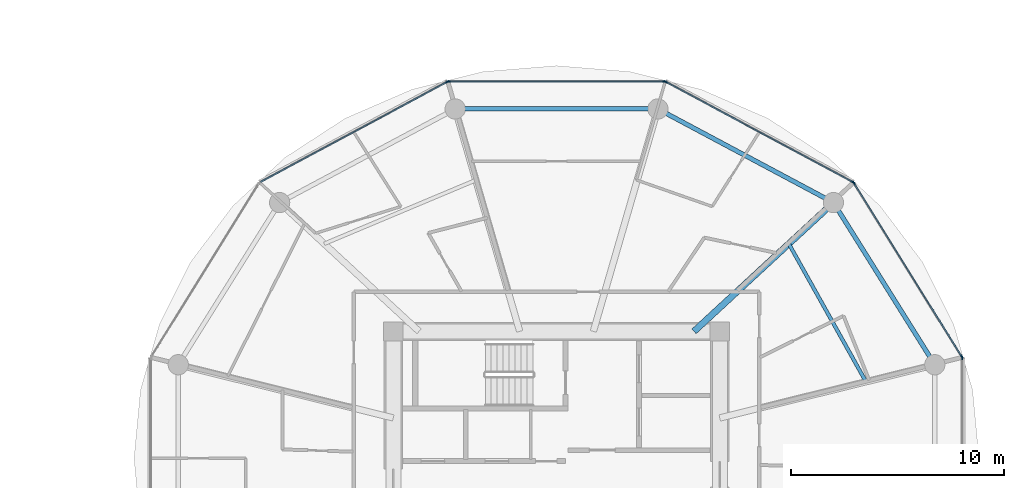
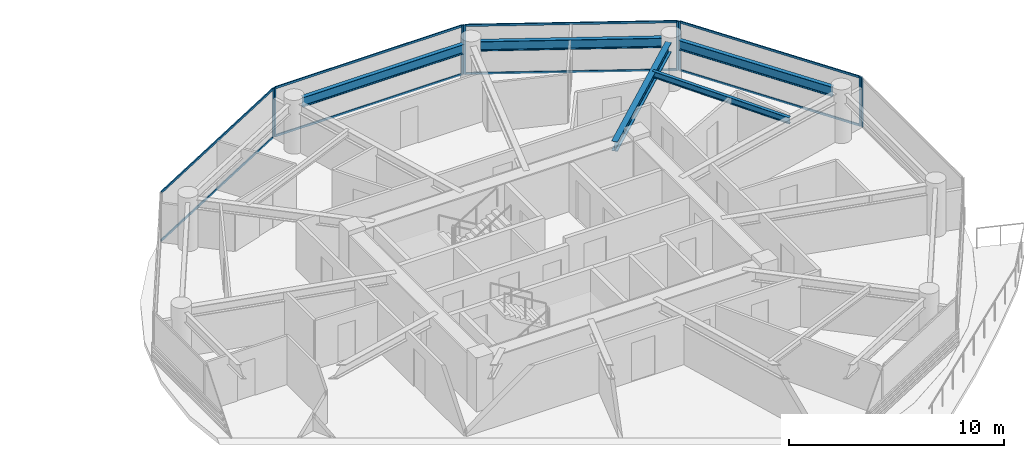
# One storey, part 13 of 25: 16 members, 5 beams, 5 elements without a shape of their own.
"""IFC4 building model written with IfcOpenShell, lengths in metres."""

from ifc_helpers import new_model, si_unit, direction, frame, origin, origin_2d, place, context, subcontext, project, spatial, rectangle, i_section, extrude, source, transform, mapped, material, layer, layer_set, material_profile, profile_set, type_object, type_shapes, element, aggregate, save


model = new_model("IFC4")

# Units and contexts
model_context = context("Model", 3, precision=1e-05, world=origin(), true_north=direction((0.0, 1.0)))
body_context = subcontext(model_context, "Body", "Model", "MODEL_VIEW")
ifc_project = project(units=[si_unit("LENGTHUNIT", "METRE"), si_unit("AREAUNIT", "SQUARE_METRE"), si_unit("VOLUMEUNIT", "CUBIC_METRE"), si_unit("PLANEANGLEUNIT", "RADIAN"), si_unit("MASSUNIT", "GRAM", prefix="KILO")], contexts=[model_context])

# Site, building, storey
site_placement = place(None, origin())
site = spatial("IfcSite", under=ifc_project, at=site_placement, CompositionType="ELEMENT")
building_placement = place(site_placement, origin())
building = spatial("IfcBuilding", under=site, at=building_placement, Name="Norrkilde Senior Care Towers", CompositionType="ELEMENT")
storey_placement = place(building_placement, frame((0.0, 0.0, 27.699951171875)))
storey = spatial("IfcBuildingStorey", under=building, at=storey_placement, Name="L07", CompositionType="ELEMENT", Elevation=27.699951171875)

# Beams
ifc_material_1 = material(Name="Steel S355", Category="steel")
ifc_material_profile_1 = material_profile(ifc_material_1, i_section(OverallWidth=0.2099609375, OverallDepth=0.550048828125, WebThickness=0.010986328125, FlangeThickness=0.01708984375, FilletRadius=0.02392578125, at=origin_2d()), Name="IPE 550")
ifc_profile_set_1 = profile_set([ifc_material_profile_1], Name="Steel S355")
beam_type_1 = type_object("IfcBeamType", Name="Perimeter Ring Spandrel Z1 IPE550", PredefinedType="SPANDREL", material=ifc_profile_set_1)
shared_shape_1 = source(origin(), body_context, "Body", "SweptSolid", [
    extrude(i_section(OverallWidth=0.2099609375, OverallDepth=0.550048828125, WebThickness=0.010986328125, FlangeThickness=0.01708984375, FilletRadius=0.02392578125, at=origin_2d()), origin(), (0.0, 0.0, 1.0), 8.090576171875),
])
beam_1_placement = place(storey_placement, frame((45.494140625, 4.755859375, 2.51513671875), z_axis=(-0.530004364821, 0.84799491347, 0.0), x_axis=(-0.84799491347, -0.530004364821, 0.0)))
element("IfcBeam", 1, at=beam_1_placement, inside=storey, type_object=beam_type_1, Name="L07 Drum E Perimeter Spandrel 01", PredefinedType="SPANDREL", context=body_context, shape_type="MappedRepresentation", body=[
    mapped(shared_shape_1, transform((0.0, 0.0, 0.0), x_axis=(1.0, 0.0, 0.0), y_axis=(0.0, 1.0, 0.0), z_axis=(0.0, 0.0, 1.0), scale=1.0)),
])
shared_shape_2 = source(origin(), body_context, "Body", "SweptSolid", [
    extrude(i_section(OverallWidth=0.2099609375, OverallDepth=0.550048828125, WebThickness=0.010986328125, FlangeThickness=0.01708984375, FilletRadius=0.02392578125, at=origin_2d()), origin(), (0.0, 0.0, 1.0), 8.452880859375),
])
beam_2_placement = place(storey_placement, frame((40.591552734375, 12.190185546875, 2.51513671875), z_axis=(-0.882368931134, 0.470558252898, 0.0), x_axis=(-0.470558252898, -0.882368931134, 0.0)))
element("IfcBeam", 2, at=beam_2_placement, inside=storey, type_object=beam_type_1, Name="L07 Drum E Perimeter Spandrel 02", PredefinedType="SPANDREL", context=body_context, shape_type="MappedRepresentation", body=[
    mapped(shared_shape_2, transform((0.0, 0.0, 0.0), x_axis=(1.0, 0.0, 0.0), y_axis=(0.0, 1.0, 0.0), z_axis=(0.0, 0.0, 1.0), scale=1.0)),
])
ifc_material_profile_2 = material_profile(ifc_material_1, i_section(OverallWidth=0.300048828125, OverallDepth=0.550048828125, WebThickness=0.014892578125, FlangeThickness=0.029052734375, FilletRadius=0.027099609375, at=origin_2d()), Name="HEB 550")
ifc_profile_set_2 = profile_set([ifc_material_profile_2], Name="Steel S355")
beam_type_2 = type_object("IfcBeamType", Name="Radial Floor Beam Z1 HEB550", PredefinedType="BEAM", material=ifc_profile_set_2)
shared_shape_3 = source(origin(), body_context, "Body", "SweptSolid", [
    extrude(i_section(OverallWidth=0.300048828125, OverallDepth=0.550048828125, WebThickness=0.014892578125, FlangeThickness=0.029052734375, FilletRadius=0.027099609375, at=origin_2d()), origin(), (0.0, 0.0, 1.0), 8.459716796875),
])
type_shapes(beam_type_2, [shared_shape_3])
beam_3_placement = place(storey_placement, frame((34.44140625, 5.949951171875, 2.51513671875), z_axis=(0.734573269108, 0.678529374686, 0.0), x_axis=(-0.678529374686, 0.734573269108, 0.0)))
element("IfcBeam", 3, at=beam_3_placement, inside=storey, type_object=beam_type_2, Name="L07 Drum E Radial Floor Beam 02", PredefinedType="BEAM", context=body_context, shape_type="MappedRepresentation", body=[
    mapped(shared_shape_3, transform((0.0, 0.0, 0.0), x_axis=(1.0, 0.0, 0.0), y_axis=(0.0, 1.0, 0.0), z_axis=(0.0, 0.0, 1.0), scale=1.0)),
])
shared_shape_4 = source(origin(), body_context, "Body", "SweptSolid", [
    extrude(i_section(OverallWidth=0.2099609375, OverallDepth=0.550048828125, WebThickness=0.010986328125, FlangeThickness=0.01708984375, FilletRadius=0.02392578125, at=origin_2d()), origin(), (0.0, 0.0, 1.0), 8.62841796875),
])
type_shapes(beam_type_1, [shared_shape_1, shared_shape_2, shared_shape_4])
beam_4_placement = place(storey_placement, frame((32.314208984375, 16.37255859375, 2.51513671875), z_axis=(-1.0, 0.0, 0.0), x_axis=(0.0, -1.0, 0.0)))
element("IfcBeam", 4, at=beam_4_placement, inside=storey, type_object=beam_type_1, Name="L07 Drum E Perimeter Spandrel 03", PredefinedType="SPANDREL", context=body_context, shape_type="MappedRepresentation", body=[
    mapped(shared_shape_4, transform((0.0, 0.0, 0.0), x_axis=(1.0, 0.0, 0.0), y_axis=(0.0, 1.0, 0.0), z_axis=(0.0, 0.0, 1.0), scale=1.0)),
])
ifc_material_profile_3 = material_profile(ifc_material_1, i_section(OverallWidth=0.169921875, OverallDepth=0.360107421875, WebThickness=0.008056640625, FlangeThickness=0.0126953125, FilletRadius=0.01806640625, at=origin_2d()), Name="IPE 360")
ifc_profile_set_3 = profile_set([ifc_material_profile_3], Name="Steel S355")
beam_type_3 = type_object("IfcBeamType", Name="Secondary Floor Joist IPE360", PredefinedType="JOIST", material=ifc_profile_set_3)
shared_shape_5 = source(origin(), body_context, "Body", "SweptSolid", [
    extrude(i_section(OverallWidth=0.169921875, OverallDepth=0.360107421875, WebThickness=0.008056640625, FlangeThickness=0.0126953125, FilletRadius=0.01806640625, at=origin_2d()), origin(), (0.0, 0.0, 1.0), 7.40771484375),
])
type_shapes(beam_type_3, [shared_shape_5])
beam_5_placement = place(storey_placement, frame((42.500732421875, 3.589111328125, 2.610107421875), z_axis=(-0.488167754092, 0.872749817453, 0.0), x_axis=(-0.872749817453, -0.488167754092, 0.0)))
element("IfcBeam", 5, at=beam_5_placement, inside=storey, type_object=beam_type_3, Name="L07 Drum E Secondary Floor Joist 1", PredefinedType="JOIST", context=body_context, shape_type="MappedRepresentation", body=[
    mapped(shared_shape_5, transform((0.0, 0.0, 0.0), x_axis=(1.0, 0.0, 0.0), y_axis=(0.0, 1.0, 0.0), z_axis=(0.0, 0.0, 1.0), scale=1.0)),
])

# Curtain wall, members
ifc_material_2 = material(Name="Triple Low-E Insulated Glazing", Category="glass")
ifc_layer = layer(ifc_material_2, 0.199951171875)
ifc_layer_set = layer_set([ifc_layer], Name="Triple Low-E Insulated Glazing")
curtain_wall_type = type_object("IfcCurtainWallType", Name="CW2 Zone 1 Memory Care Curtain Wall", PredefinedType="NOTDEFINED", material=ifc_layer_set)
curtain_wall_1_placement = place(storey_placement, origin())
curtain_wall_1 = element("IfcCurtainWall", 6, at=curtain_wall_1_placement, inside=storey, type_object=curtain_wall_type, Name="L07 Drum E Curtain Wall 00", PredefinedType="NOTDEFINED")
ifc_material_3 = material(Name="Anodised Aluminium", Category="aluminium")
ifc_material_profile_4 = material_profile(ifc_material_3, rectangle(XDim=0.06494140625, YDim=0.159912109375, at=origin_2d()), Name="ALU MULL 65x160")
ifc_profile_set_4 = profile_set([ifc_material_profile_4], Name="Anodised Aluminium")
member_type_1 = type_object("IfcMemberType", Name="Curtain Wall Mullion Z1-Z2 65x160", PredefinedType="MULLION", material=ifc_profile_set_4)
shared_shape_6 = source(origin(), body_context, "Body", "SweptSolid", [
    extrude(rectangle(XDim=0.06494140625, YDim=0.159912109375, at=origin_2d()), origin(), (0.0, 0.0, 1.0), 2.7900390625),
])
type_shapes(member_type_1, [shared_shape_6])
member_1_placement = place(storey_placement, frame((41.93310546875, 12.898193359375, 0.0), z_axis=(0.0, 0.0, 1.0), x_axis=(0.849305943117, 0.527900951871, 0.0)))
member_1 = element("IfcMember", 7, at=member_1_placement, type_object=member_type_1, Name="CW-2 mullion 1", PredefinedType="MULLION", context=body_context, shape_type="MappedRepresentation", body=[
    mapped(shared_shape_6, transform((0.0, 0.0, 0.0), x_axis=(1.0, 0.0, 0.0), y_axis=(0.0, 1.0, 0.0), z_axis=(0.0, 0.0, 1.0), scale=1.0)),
])
member_2_placement = place(storey_placement, frame((46.9921875, 4.7587890625, 0.0), z_axis=(0.0, 0.0, 1.0), x_axis=(0.849305943117, 0.527900951871, 0.0)))
member_2 = element("IfcMember", 8, at=member_2_placement, type_object=member_type_1, Name="CW-2 mullion 2", PredefinedType="MULLION", context=body_context, shape_type="MappedRepresentation", body=[
    mapped(shared_shape_6, transform((0.0, 0.0, 0.0), x_axis=(1.0, 0.0, 0.0), y_axis=(0.0, 1.0, 0.0), z_axis=(0.0, 0.0, 1.0), scale=1.0)),
])

curtain_wall_2_placement = place(storey_placement, origin())
curtain_wall_2 = element("IfcCurtainWall", 9, at=curtain_wall_2_placement, inside=storey, type_object=curtain_wall_type, Name="L07 Drum E Curtain Wall 01", PredefinedType="NOTDEFINED")
member_3_placement = place(storey_placement, frame((33.122314453125, 17.641845703125, 0.0), z_axis=(0.0, 0.0, 1.0), x_axis=(0.472607802456, 0.881272866403, 0.0)))
member_3 = element("IfcMember", 10, at=member_3_placement, type_object=member_type_1, Name="CW-2 mullion 1", PredefinedType="MULLION", context=body_context, shape_type="MappedRepresentation", body=[
    mapped(shared_shape_6, transform((0.0, 0.0, 0.0), x_axis=(1.0, 0.0, 0.0), y_axis=(0.0, 1.0, 0.0), z_axis=(0.0, 0.0, 1.0), scale=1.0)),
])
member_4_placement = place(storey_placement, frame((41.88720703125, 12.941162109375, 0.0), z_axis=(0.0, 0.0, 1.0), x_axis=(0.472607802456, 0.881272866403, 0.0)))
member_4 = element("IfcMember", 11, at=member_4_placement, type_object=member_type_1, Name="CW-2 mullion 2", PredefinedType="MULLION", context=body_context, shape_type="MappedRepresentation", body=[
    mapped(shared_shape_6, transform((0.0, 0.0, 0.0), x_axis=(1.0, 0.0, 0.0), y_axis=(0.0, 1.0, 0.0), z_axis=(0.0, 0.0, 1.0), scale=1.0)),
])

curtain_wall_3_placement = place(storey_placement, origin())
curtain_wall_3 = element("IfcCurtainWall", 12, at=curtain_wall_3_placement, inside=storey, type_object=curtain_wall_type, Name="L07 Drum E Curtain Wall 02", PredefinedType="NOTDEFINED")
member_5_placement = place(storey_placement, frame((22.93896484375, 17.6572265625, 0.0), z_axis=(0.0, 0.0, 1.0), x_axis=(0.0, 1.0, 0.0)))
member_5 = element("IfcMember", 13, at=member_5_placement, type_object=member_type_1, Name="CW-2 mullion 1", PredefinedType="MULLION", context=body_context, shape_type="MappedRepresentation", body=[
    mapped(shared_shape_6, transform((0.0, 0.0, 0.0), x_axis=(1.0, 0.0, 0.0), y_axis=(0.0, 1.0, 0.0), z_axis=(0.0, 0.0, 1.0), scale=1.0)),
])
member_6_placement = place(storey_placement, frame((33.06103515625, 17.6572265625, 0.0), z_axis=(0.0, 0.0, 1.0), x_axis=(0.0, 1.0, 0.0)))
member_6 = element("IfcMember", 14, at=member_6_placement, type_object=member_type_1, Name="CW-2 mullion 2", PredefinedType="MULLION", context=body_context, shape_type="MappedRepresentation", body=[
    mapped(shared_shape_6, transform((0.0, 0.0, 0.0), x_axis=(1.0, 0.0, 0.0), y_axis=(0.0, 1.0, 0.0), z_axis=(0.0, 0.0, 1.0), scale=1.0)),
])

# Curtain wall, member
curtain_wall_4_placement = place(storey_placement, origin())
curtain_wall_4 = element("IfcCurtainWall", 15, at=curtain_wall_4_placement, inside=storey, type_object=curtain_wall_type, Name="L07 Drum E Curtain Wall 03", PredefinedType="NOTDEFINED")
member_7_placement = place(storey_placement, frame((22.877685546875, 17.641845703125, 0.0), z_axis=(0.0, 0.0, 1.0), x_axis=(-0.472607802456, 0.881272866403, 0.0)))
member_7 = element("IfcMember", 16, at=member_7_placement, type_object=member_type_1, Name="CW-2 mullion 2", PredefinedType="MULLION", context=body_context, shape_type="MappedRepresentation", body=[
    mapped(shared_shape_6, transform((0.0, 0.0, 0.0), x_axis=(1.0, 0.0, 0.0), y_axis=(0.0, 1.0, 0.0), z_axis=(0.0, 0.0, 1.0), scale=1.0)),
])

curtain_wall_5_placement = place(storey_placement, origin())
curtain_wall_5 = element("IfcCurtainWall", 17, at=curtain_wall_5_placement, inside=storey, type_object=curtain_wall_type, Name="L07 Drum E Curtain Wall 11", PredefinedType="NOTDEFINED")
member_8_placement = place(storey_placement, frame((47.009521484375, 4.69873046875, 0.0), z_axis=(0.0, 0.0, 1.0), x_axis=(1.0, 0.0, 0.0)))
member_8 = element("IfcMember", 18, at=member_8_placement, type_object=member_type_1, Name="CW-2 mullion 1", PredefinedType="MULLION", context=body_context, shape_type="MappedRepresentation", body=[
    mapped(shared_shape_6, transform((0.0, 0.0, 0.0), x_axis=(1.0, 0.0, 0.0), y_axis=(0.0, 1.0, 0.0), z_axis=(0.0, 0.0, 1.0), scale=1.0)),
])
aggregate(curtain_wall_5, [member_8])

# Member
ifc_material_profile_5 = material_profile(ifc_material_3, rectangle(XDim=0.06005859375, YDim=0.1201171875, at=origin_2d()), Name="ALU TRAN 60x120")
ifc_profile_set_5 = profile_set([ifc_material_profile_5], Name="Anodised Aluminium")
member_type_2 = type_object("IfcMemberType", Name="Curtain Wall Transom Typical 60x120", PredefinedType="USERDEFINED", material=ifc_profile_set_5)
shared_shape_7 = source(origin(), body_context, "Body", "SweptSolid", [
    extrude(rectangle(XDim=0.06005859375, YDim=0.1201171875, at=origin_2d()), origin(), (0.0, 0.0, 1.0), 9.5185546875),
])
member_9_placement = place(storey_placement, frame((41.9501953125, 12.87060546875, 0.030029296875), z_axis=(0.527901620669, -0.849305527413, 0.0), x_axis=(0.849305527413, 0.527901620669, 0.0)))
member_9 = element("IfcMember", 19, at=member_9_placement, type_object=member_type_2, Name="CW-2 transom 1.1", ObjectType="TRANSOM", PredefinedType="USERDEFINED", context=body_context, shape_type="MappedRepresentation", body=[
    mapped(shared_shape_7, transform((0.0, 0.0, 0.0), x_axis=(1.0, 0.0, 0.0), y_axis=(0.0, 1.0, 0.0), z_axis=(0.0, 0.0, 1.0), scale=1.0)),
])

member_10_placement = place(storey_placement, frame((41.9501953125, 12.87060546875, 2.760009765625), z_axis=(0.527901620669, -0.849305527413, 0.0), x_axis=(0.849305527413, 0.527901620669, 0.0)))
member_10 = element("IfcMember", 20, at=member_10_placement, type_object=member_type_2, Name="CW-2 transom 1.2", ObjectType="TRANSOM", PredefinedType="USERDEFINED", context=body_context, shape_type="MappedRepresentation", body=[
    mapped(shared_shape_7, transform((0.0, 0.0, 0.0), x_axis=(1.0, 0.0, 0.0), y_axis=(0.0, 1.0, 0.0), z_axis=(0.0, 0.0, 1.0), scale=1.0)),
])

aggregate(curtain_wall_1, [member_1, member_2, member_9, member_10])

shared_shape_8 = source(origin(), body_context, "Body", "SweptSolid", [
    extrude(rectangle(XDim=0.06005859375, YDim=0.1201171875, at=origin_2d()), origin(), (0.0, 0.0, 1.0), 9.880859375),
])
member_11_placement = place(storey_placement, frame((33.15087890625, 17.62646484375, 0.030029296875), z_axis=(0.881267204043, -0.47261836092, 0.0), x_axis=(0.47261836092, 0.881267204043, 0.0)))
member_11 = element("IfcMember", 21, at=member_11_placement, type_object=member_type_2, Name="CW-2 transom 1.1", ObjectType="TRANSOM", PredefinedType="USERDEFINED", context=body_context, shape_type="MappedRepresentation", body=[
    mapped(shared_shape_8, transform((0.0, 0.0, 0.0), x_axis=(1.0, 0.0, 0.0), y_axis=(0.0, 1.0, 0.0), z_axis=(0.0, 0.0, 1.0), scale=1.0)),
])

member_12_placement = place(storey_placement, frame((33.15087890625, 17.62646484375, 2.760009765625), z_axis=(0.881267204043, -0.47261836092, 0.0), x_axis=(0.47261836092, 0.881267204043, 0.0)))
member_12 = element("IfcMember", 22, at=member_12_placement, type_object=member_type_2, Name="CW-2 transom 1.2", ObjectType="TRANSOM", PredefinedType="USERDEFINED", context=body_context, shape_type="MappedRepresentation", body=[
    mapped(shared_shape_8, transform((0.0, 0.0, 0.0), x_axis=(1.0, 0.0, 0.0), y_axis=(0.0, 1.0, 0.0), z_axis=(0.0, 0.0, 1.0), scale=1.0)),
])

aggregate(curtain_wall_2, [member_3, member_4, member_11, member_12])

member_13_placement = place(storey_placement, frame((14.141357421875, 12.95654296875, 0.030029296875), z_axis=(0.881267204043, 0.47261836092, 0.0), x_axis=(-0.47261836092, 0.881267204043, 0.0)))
member_13 = element("IfcMember", 23, at=member_13_placement, type_object=member_type_2, Name="CW-2 transom 1.1", ObjectType="TRANSOM", PredefinedType="USERDEFINED", context=body_context, shape_type="MappedRepresentation", body=[
    mapped(shared_shape_8, transform((0.0, 0.0, 0.0), x_axis=(1.0, 0.0, 0.0), y_axis=(0.0, 1.0, 0.0), z_axis=(0.0, 0.0, 1.0), scale=1.0)),
])

member_14_placement = place(storey_placement, frame((14.141357421875, 12.95654296875, 2.760009765625), z_axis=(0.881267204043, 0.47261836092, 0.0), x_axis=(-0.47261836092, 0.881267204043, 0.0)))
member_14 = element("IfcMember", 24, at=member_14_placement, type_object=member_type_2, Name="CW-2 transom 1.2", ObjectType="TRANSOM", PredefinedType="USERDEFINED", context=body_context, shape_type="MappedRepresentation", body=[
    mapped(shared_shape_8, transform((0.0, 0.0, 0.0), x_axis=(1.0, 0.0, 0.0), y_axis=(0.0, 1.0, 0.0), z_axis=(0.0, 0.0, 1.0), scale=1.0)),
])

aggregate(curtain_wall_4, [member_7, member_13, member_14])

shared_shape_9 = source(origin(), body_context, "Body", "SweptSolid", [
    extrude(rectangle(XDim=0.06005859375, YDim=0.1201171875, at=origin_2d()), origin(), (0.0, 0.0, 1.0), 10.05712890625),
])
type_shapes(member_type_2, [shared_shape_7, shared_shape_8, shared_shape_9])
member_15_placement = place(storey_placement, frame((22.971435546875, 17.6572265625, 0.030029296875), z_axis=(1.0, 0.0, 0.0), x_axis=(0.0, 1.0, 0.0)))
member_15 = element("IfcMember", 25, at=member_15_placement, type_object=member_type_2, Name="CW-2 transom 1.1", ObjectType="TRANSOM", PredefinedType="USERDEFINED", context=body_context, shape_type="MappedRepresentation", body=[
    mapped(shared_shape_9, transform((0.0, 0.0, 0.0), x_axis=(1.0, 0.0, 0.0), y_axis=(0.0, 1.0, 0.0), z_axis=(0.0, 0.0, 1.0), scale=1.0)),
])

member_16_placement = place(storey_placement, frame((22.971435546875, 17.6572265625, 2.760009765625), z_axis=(1.0, 0.0, 0.0), x_axis=(0.0, 1.0, 0.0)))
member_16 = element("IfcMember", 26, at=member_16_placement, type_object=member_type_2, Name="CW-2 transom 1.2", ObjectType="TRANSOM", PredefinedType="USERDEFINED", context=body_context, shape_type="MappedRepresentation", body=[
    mapped(shared_shape_9, transform((0.0, 0.0, 0.0), x_axis=(1.0, 0.0, 0.0), y_axis=(0.0, 1.0, 0.0), z_axis=(0.0, 0.0, 1.0), scale=1.0)),
])

aggregate(curtain_wall_3, [member_5, member_6, member_15, member_16])

save(model, "model.ifc")
